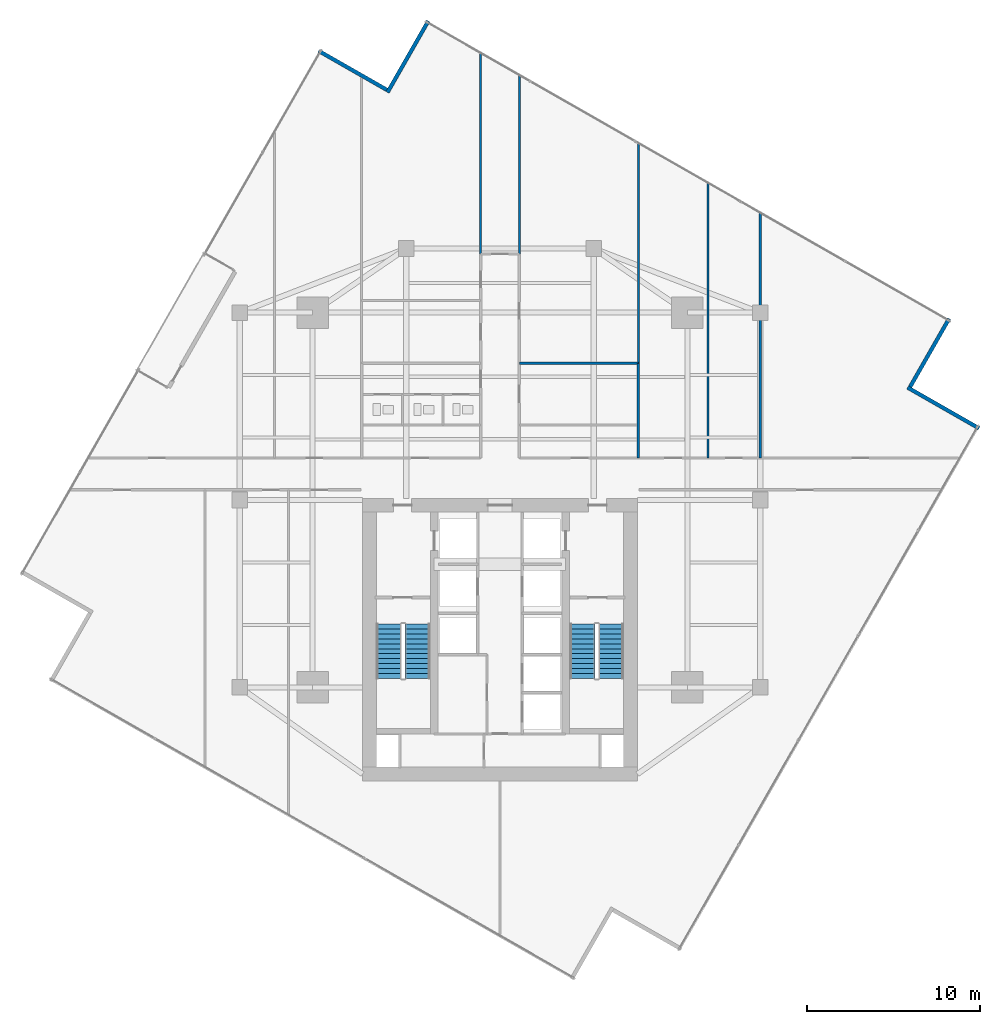
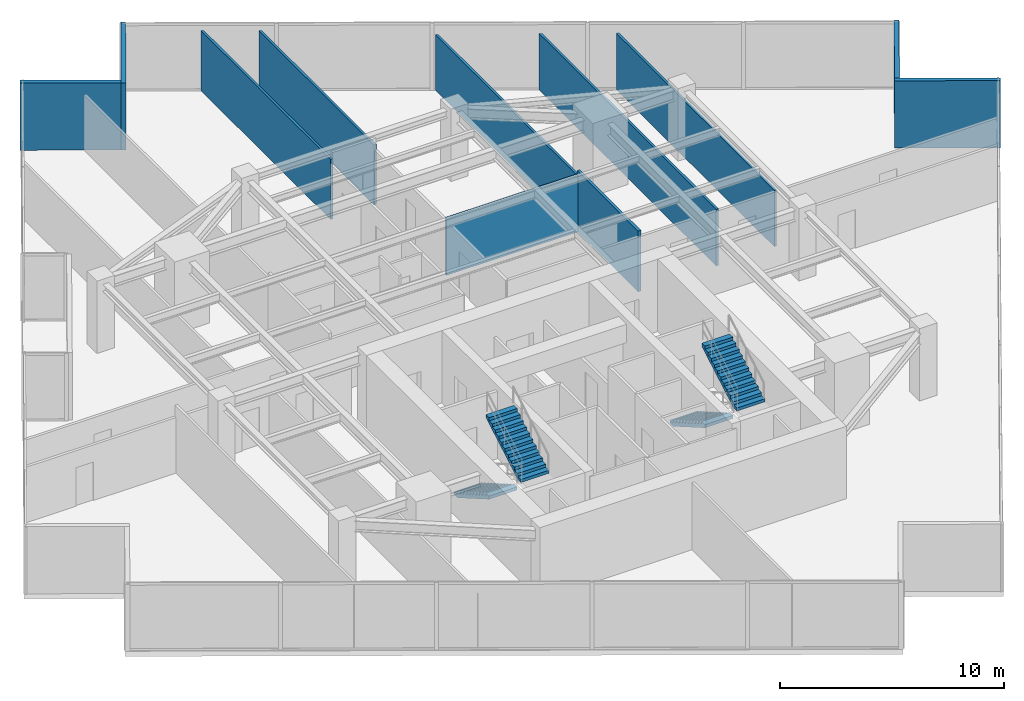
# One storey, part 22 of 24: 11 walls, 4 stair flights, 2 elements without a shape of their own.
"""IFC4 building model written with IfcOpenShell, lengths in metres."""

from ifc_helpers import new_model, si_unit, direction, frame, frame_2d, origin, place, context, subcontext, project, spatial, polyline, rectangle, outline, extrude, material, layer, layer_set, type_object, element, aggregate, save


model = new_model("IFC4")

# Units and contexts
model_context = context("Model", 3, precision=1e-05, world=origin(), true_north=direction((0.0, 1.0)))
body_context = subcontext(model_context, "Body", "Model", "MODEL_VIEW")
ifc_project = project(units=[si_unit("LENGTHUNIT", "METRE"), si_unit("AREAUNIT", "SQUARE_METRE"), si_unit("VOLUMEUNIT", "CUBIC_METRE"), si_unit("PLANEANGLEUNIT", "RADIAN"), si_unit("MASSUNIT", "GRAM", prefix="KILO")], contexts=[model_context])

# Site, building, storey
site_placement = place(None, origin())
site = spatial("IfcSite", under=ifc_project, at=site_placement, CompositionType="ELEMENT")
building_placement = place(site_placement, origin())
building = spatial("IfcBuilding", under=site, at=building_placement, Name="Krantzveldt Concourse Tower", CompositionType="ELEMENT")
storey_placement = place(building_placement, frame((0.0, 0.0, 162.0)))
storey = spatial("IfcBuildingStorey", under=building, at=storey_placement, Name="L39", CompositionType="ELEMENT", Elevation=162.0)

# Walls
ifc_material_1 = material(Name="Anodised aluminium 6063-T6", Category="aluminium")
ifc_layer_1 = layer(ifc_material_1, 0.219970703125, Name="Anodised aluminium 6063-T6", Category="aluminium")
ifc_layer_set_1 = layer_set([ifc_layer_1], Name="Anodised aluminium 6063-T6 (WL-EXT-NOTCH220)")
wall_type_1 = type_object("IfcWallType", Name="WL-EXT-NOTCH220", PredefinedType="ELEMENTEDWALL", material=ifc_layer_set_1)
wall_1_placement = place(storey_placement, frame((29.472900390625, 50.34521484375, 0.0), z_axis=(0.0, 0.0, 1.0), x_axis=(-0.868170087613, 0.496266761908, 0.0)))
element("IfcWall", 1, at=wall_1_placement, inside=storey, type_object=wall_type_1, Name="EW-L39-NCH00", PredefinedType="ELEMENTEDWALL", context=body_context, shape_type="SweptSolid", body=[
    extrude(rectangle(XDim=4.52490234375, YDim=0.219970703125, at=frame_2d((2.262451171875, 0.0))), origin(), (0.0, 0.0, 1.0), 3.669921875),
])
wall_2_placement = place(storey_placement, frame((63.61474609375, 30.83154296875, 0.0), z_axis=(0.0, 0.0, 1.0), x_axis=(-0.868170306664, 0.496266378698, 0.0)))
element("IfcWall", 2, at=wall_2_placement, inside=storey, type_object=wall_type_1, Name="EW-L39-NCH12", PredefinedType="ELEMENTEDWALL", context=body_context, shape_type="SweptSolid", body=[
    extrude(rectangle(XDim=4.744873046875, YDim=0.219970703125, at=frame_2d((2.37255859375, 0.0))), origin(), (0.0, 0.0, 1.0), 3.669921875),
])
wall_3_placement = place(storey_placement, frame((59.645263671875, 33.22705078125, 0.0), z_axis=(0.0, 0.0, 1.0), x_axis=(0.496202850194, 0.868206617954, 0.0)))
element("IfcWall", 3, at=wall_3_placement, inside=storey, type_object=wall_type_1, Name="EW-L39-NCH13", PredefinedType="ELEMENTEDWALL", context=body_context, shape_type="SweptSolid", body=[
    extrude(rectangle(XDim=4.525146484375, YDim=0.219970703125, at=frame_2d((2.2626953125, 0.0))), origin(), (0.0, 0.0, 1.0), 3.669921875),
])
wall_4_placement = place(storey_placement, frame((31.868408203125, 54.31494140625, 0.0), z_axis=(0.0, 0.0, 1.0), x_axis=(-0.496205429031, -0.868205144076, 0.0)))
element("IfcWall", 4, at=wall_4_placement, inside=storey, type_object=wall_type_1, Name="EW-L39-NCH15", PredefinedType="ELEMENTEDWALL", context=body_context, shape_type="SweptSolid", body=[
    extrude(rectangle(XDim=4.744873046875, YDim=0.219970703125, at=frame_2d((2.37255859375, 0.0))), origin(), (0.0, 0.0, 1.0), 3.669921875),
])
ifc_material_2 = material(Name="Fire-rated gypsum plasterboard on steel stud", Category="steel")
ifc_layer_2 = layer(ifc_material_2, 0.1201171875, Name="Fire-rated gypsum plasterboard on steel stud", Category="steel")
ifc_layer_set_2 = layer_set([ifc_layer_2], Name="Fire-rated gypsum plasterboard on steel stud (WL-PART-120)")
wall_type_2 = type_object("IfcWallType", Name="WL-PART-120", PredefinedType="PARTITIONING", material=ifc_layer_set_2)
wall_5_placement = place(storey_placement, frame((34.8798828125, 40.8798828125, 0.0), z_axis=(0.0, 0.0, 1.0), x_axis=(0.0, 1.0, 0.0)))
element("IfcWall", 5, at=wall_5_placement, inside=storey, type_object=wall_type_2, Name="WP-L39-NTL", PredefinedType="PARTITIONING", context=body_context, shape_type="SweptSolid", body=[
    extrude(rectangle(XDim=11.581298828125, YDim=0.1201171875, at=frame_2d((5.79052734375, 0.0))), origin(), (0.0, 0.0, 1.0), 3.280029296875),
])
wall_6_placement = place(storey_placement, frame((37.1201171875, 40.8798828125, 0.0), z_axis=(0.0, 0.0, 1.0), x_axis=(0.0, 1.0, 0.0)))
element("IfcWall", 6, at=wall_6_placement, inside=storey, type_object=wall_type_2, Name="WP-L39-NTR", PredefinedType="PARTITIONING", context=body_context, shape_type="SweptSolid", body=[
    extrude(rectangle(XDim=10.301025390625, YDim=0.1201171875, at=frame_2d((5.150390625, 0.0))), origin(), (0.0, 0.0, 1.0), 3.280029296875),
])
wall_7_placement = place(storey_placement, frame((43.97998046875, 34.580078125, 0.0), z_axis=(0.0, 0.0, 1.0), x_axis=(0.0, 1.0, 0.0)))
element("IfcWall", 7, at=wall_7_placement, inside=storey, type_object=wall_type_2, Name="WP-L39-ISER2", PredefinedType="PARTITIONING", context=body_context, shape_type="SweptSolid", body=[
    extrude(rectangle(XDim=12.679931640625, YDim=0.1201171875, at=frame_2d((6.33984375, 0.0))), origin(), (0.0, 0.0, 1.0), 3.030029296875),
])
wall_8_placement = place(storey_placement, frame((48.0, 29.1201171875, 0.0), z_axis=(0.0, 0.0, 1.0), x_axis=(0.0, 1.0, 0.0)))
element("IfcWall", 8, at=wall_8_placement, inside=storey, type_object=wall_type_2, Name="WP-L39-NEX1", PredefinedType="PARTITIONING", context=body_context, shape_type="SweptSolid", body=[
    extrude(rectangle(XDim=15.84228515625, YDim=0.1201171875, at=frame_2d((7.921142578125, 0.0))), origin(), (0.0, 0.0, 1.0), 3.080078125),
])
wall_9_placement = place(storey_placement, frame((51.0, 29.1201171875, 0.0), z_axis=(0.0, 0.0, 1.0), x_axis=(0.0, 1.0, 0.0)))
element("IfcWall", 9, at=wall_9_placement, inside=storey, type_object=wall_type_2, Name="WP-L39-NEX2", PredefinedType="PARTITIONING", context=body_context, shape_type="SweptSolid", body=[
    extrude(rectangle(XDim=14.127685546875, YDim=0.1201171875, at=frame_2d((7.06396484375, 0.0))), origin(), (0.0, 0.0, 1.0), 3.080078125),
])
ifc_layer_3 = layer(ifc_material_2, 0.139892578125, Name="Fire-rated gypsum plasterboard on steel stud", Category="steel")
ifc_layer_set_3 = layer_set([ifc_layer_3], Name="Fire-rated gypsum plasterboard on steel stud (WL-PART-140)")
wall_type_3 = type_object("IfcWallType", Name="WL-PART-140", PredefinedType="PARTITIONING", material=ifc_layer_set_3)
wall_10_placement = place(storey_placement, frame((37.1201171875, 34.580078125, 0.0), z_axis=(0.0, 0.0, 1.0), x_axis=(1.0, 0.0, 0.0)))
element("IfcWall", 10, at=wall_10_placement, inside=storey, type_object=wall_type_3, Name="WP-L39-ISNR", PredefinedType="PARTITIONING", context=body_context, shape_type="SweptSolid", body=[
    extrude(rectangle(XDim=6.85986328125, YDim=0.139892578125, at=frame_2d((3.429931640625, 0.0))), origin(), (0.0, 0.0, 1.0), 3.080078125),
])
wall_11_placement = place(storey_placement, frame((43.97998046875, 29.1201171875, 0.0), z_axis=(0.0, 0.0, 1.0), x_axis=(0.0, 1.0, 0.0)))
element("IfcWall", 11, at=wall_11_placement, inside=storey, type_object=wall_type_3, Name="WP-L39-ISER", PredefinedType="PARTITIONING", context=body_context, shape_type="SweptSolid", body=[
    extrude(rectangle(XDim=5.4599609375, YDim=0.139892578125, at=frame_2d((2.72998046875, 0.0))), origin(), (0.0, 0.0, 1.0), 3.31005859375),
])

# Stair, stair flights
ifc_material_3 = material(Name="Precast concrete C40/50", Category="concrete")
stair_type = type_object("IfcStairType", Name="STR-CORE-DOGLEG", PredefinedType="HALF_TURN_STAIR", material=ifc_material_3)
stair_1_placement = place(storey_placement, origin())
stair_1 = element("IfcStair", 12, at=stair_1_placement, inside=storey, type_object=stair_type, Name="L39 Protected Escape Stair ST-1", PredefinedType="HALF_TURN_STAIR")
stair_flight_type = type_object("IfcStairFlightType", Name="STF-CORE-1450", PredefinedType="STRAIGHT", material=ifc_material_3)
stair_flight_1_placement = place(storey_placement, frame((29.60498046875, 19.550048828125, 0.0), z_axis=(0.0, 0.0, 1.0), x_axis=(0.0, -1.0, 0.0)))
stair_flight_1 = element("IfcStairFlight", 13, at=stair_flight_1_placement, type_object=stair_flight_type, Name="ST-1 flight 1", NumberOfRisers=12, NumberOfTreads=11, PredefinedType="STRAIGHT", RiserHeight=0.164583333, TreadLength=0.285, context=body_context, shape_type="SweptSolid", body=[
    extrude(outline(polyline([(0.0, 0.0), (0.0, 0.16455078125), (0.284912109375, 0.16455078125), (0.284912109375, 0.3291015625), (0.570068359375, 0.3291015625), (0.570068359375, 0.49365234375), (0.85498046875, 0.49365234375), (0.85498046875, 0.658447265625), (1.139892578125, 0.658447265625), (1.139892578125, 0.822998046875), (1.425048828125, 0.822998046875), (1.425048828125, 0.987548828125), (1.7099609375, 0.987548828125), (1.7099609375, 1.152099609375), (1.9951171875, 1.152099609375), (1.9951171875, 1.316650390625), (2.280029296875, 1.316650390625), (2.280029296875, 1.481201171875), (2.56494140625, 1.481201171875), (2.56494140625, 1.645751953125), (2.85009765625, 1.645751953125), (2.85009765625, 1.810302734375), (3.135009765625, 1.810302734375), (3.135009765625, 1.97509765625), (3.135009765625, 1.63720703125), (0.2998046875, 0.0), (0.0, 0.0)])), frame((0.0, 0.72509765625, 0.0), z_axis=(0.0, -1.0, 0.0), x_axis=(1.0, 0.0, 0.0)), (0.0, 0.0, 1.0), 1.449951171875),
])
stair_flight_2_placement = place(storey_placement, frame((31.2548828125, 16.4150390625, 1.97509765625), z_axis=(0.0, 0.0, 1.0), x_axis=(0.0, 1.0, 0.0)))
stair_flight_2 = element("IfcStairFlight", 14, at=stair_flight_2_placement, type_object=stair_flight_type, Name="ST-1 flight 2", NumberOfRisers=12, NumberOfTreads=11, PredefinedType="STRAIGHT", RiserHeight=0.164583333, TreadLength=0.285, context=body_context, shape_type="SweptSolid", body=[
    extrude(outline(polyline([(0.0, 0.0), (0.0, 0.16455078125), (0.284912109375, 0.16455078125), (0.284912109375, 0.3291015625), (0.570068359375, 0.3291015625), (0.570068359375, 0.49365234375), (0.85498046875, 0.49365234375), (0.85498046875, 0.658447265625), (1.139892578125, 0.658447265625), (1.139892578125, 0.822998046875), (1.425048828125, 0.822998046875), (1.425048828125, 0.987548828125), (1.7099609375, 0.987548828125), (1.7099609375, 1.152099609375), (1.9951171875, 1.152099609375), (1.9951171875, 1.316650390625), (2.280029296875, 1.316650390625), (2.280029296875, 1.481201171875), (2.56494140625, 1.481201171875), (2.56494140625, 1.645751953125), (2.85009765625, 1.645751953125), (2.85009765625, 1.810302734375), (3.135009765625, 1.810302734375), (3.135009765625, 1.97509765625), (3.135009765625, 1.63720703125), (0.2998046875, 0.0), (0.0, 0.0)])), frame((0.0, 0.72509765625, 0.0), z_axis=(0.0, -1.0, 0.0), x_axis=(1.0, 0.0, 0.0)), (0.0, 0.0, 1.0), 1.449951171875),
])
aggregate(stair_1, [stair_flight_1, stair_flight_2])

stair_2_placement = place(storey_placement, origin())
stair_2 = element("IfcStair", 15, at=stair_2_placement, inside=storey, type_object=stair_type, Name="L39 Protected Escape Stair ST-2", PredefinedType="HALF_TURN_STAIR")
stair_flight_3_placement = place(storey_placement, frame((40.7451171875, 19.550048828125, 0.0), z_axis=(0.0, 0.0, 1.0), x_axis=(0.0, -1.0, 0.0)))
stair_flight_3 = element("IfcStairFlight", 16, at=stair_flight_3_placement, type_object=stair_flight_type, Name="ST-2 flight 1", NumberOfRisers=12, NumberOfTreads=11, PredefinedType="STRAIGHT", RiserHeight=0.164583333, TreadLength=0.285, context=body_context, shape_type="SweptSolid", body=[
    extrude(outline(polyline([(0.0, 0.0), (0.0, 0.16455078125), (0.284912109375, 0.16455078125), (0.284912109375, 0.3291015625), (0.570068359375, 0.3291015625), (0.570068359375, 0.49365234375), (0.85498046875, 0.49365234375), (0.85498046875, 0.658447265625), (1.139892578125, 0.658447265625), (1.139892578125, 0.822998046875), (1.425048828125, 0.822998046875), (1.425048828125, 0.987548828125), (1.7099609375, 0.987548828125), (1.7099609375, 1.152099609375), (1.9951171875, 1.152099609375), (1.9951171875, 1.316650390625), (2.280029296875, 1.316650390625), (2.280029296875, 1.481201171875), (2.56494140625, 1.481201171875), (2.56494140625, 1.645751953125), (2.85009765625, 1.645751953125), (2.85009765625, 1.810302734375), (3.135009765625, 1.810302734375), (3.135009765625, 1.97509765625), (3.135009765625, 1.63720703125), (0.2998046875, 0.0), (0.0, 0.0)])), frame((0.0, 0.72509765625, 0.0), z_axis=(0.0, -1.0, 0.0), x_axis=(1.0, 0.0, 0.0)), (0.0, 0.0, 1.0), 1.449951171875),
])
stair_flight_4_placement = place(storey_placement, frame((42.39501953125, 16.4150390625, 1.97509765625), z_axis=(0.0, 0.0, 1.0), x_axis=(0.0, 1.0, 0.0)))
stair_flight_4 = element("IfcStairFlight", 17, at=stair_flight_4_placement, type_object=stair_flight_type, Name="ST-2 flight 2", NumberOfRisers=12, NumberOfTreads=11, PredefinedType="STRAIGHT", RiserHeight=0.164583333, TreadLength=0.285, context=body_context, shape_type="SweptSolid", body=[
    extrude(outline(polyline([(0.0, 0.0), (0.0, 0.16455078125), (0.284912109375, 0.16455078125), (0.284912109375, 0.3291015625), (0.570068359375, 0.3291015625), (0.570068359375, 0.49365234375), (0.85498046875, 0.49365234375), (0.85498046875, 0.658447265625), (1.139892578125, 0.658447265625), (1.139892578125, 0.822998046875), (1.425048828125, 0.822998046875), (1.425048828125, 0.987548828125), (1.7099609375, 0.987548828125), (1.7099609375, 1.152099609375), (1.9951171875, 1.152099609375), (1.9951171875, 1.316650390625), (2.280029296875, 1.316650390625), (2.280029296875, 1.481201171875), (2.56494140625, 1.481201171875), (2.56494140625, 1.645751953125), (2.85009765625, 1.645751953125), (2.85009765625, 1.810302734375), (3.135009765625, 1.810302734375), (3.135009765625, 1.97509765625), (3.135009765625, 1.63720703125), (0.2998046875, 0.0), (0.0, 0.0)])), frame((0.0, 0.72509765625, 0.0), z_axis=(0.0, -1.0, 0.0), x_axis=(1.0, 0.0, 0.0)), (0.0, 0.0, 1.0), 1.449951171875),
])
aggregate(stair_2, [stair_flight_3, stair_flight_4])

save(model, "model.ifc")
